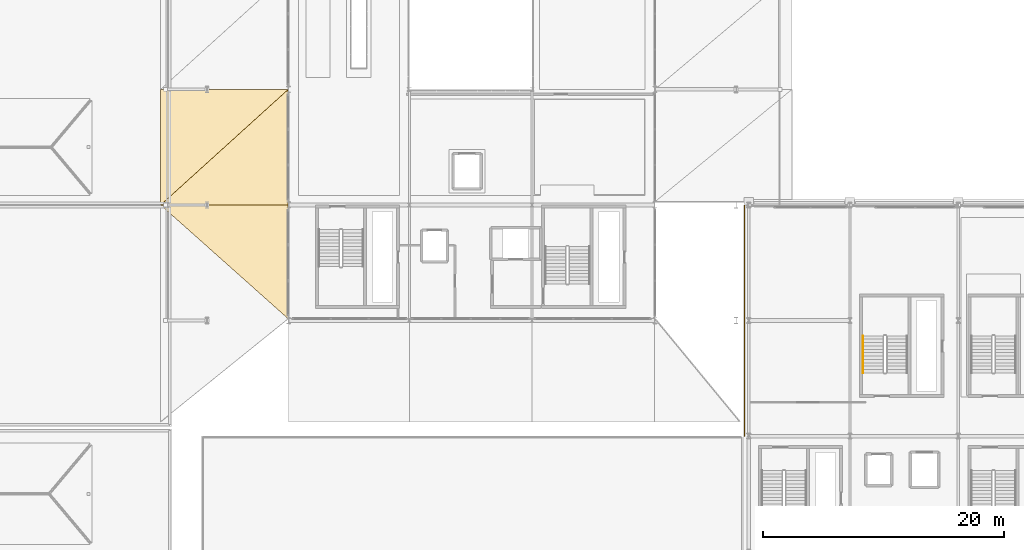
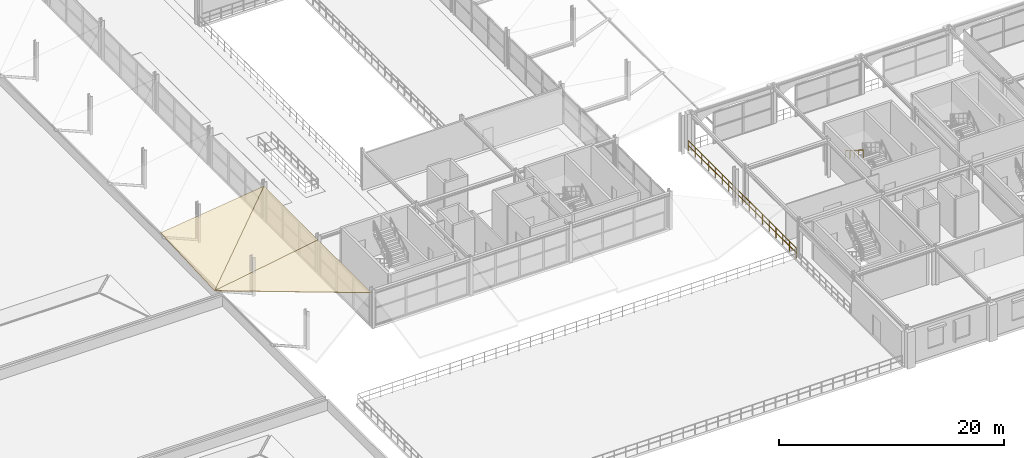
# One storey, part 65 of 81: 3 coverings, 2 railings.
"""IFC4 building model written with IfcOpenShell, lengths in metres."""

from ifc_helpers import new_model, si_unit, direction, frame, origin, origin_2d, place, context, subcontext, project, spatial, polyline, rectangle, outline, extrude, material, layer, layer_set, type_object, element, save


model = new_model("IFC4")

# Units and contexts
model_context = context("Model", 3, precision=1e-05, world=origin(), true_north=direction((0.0, 1.0)))
body_context = subcontext(model_context, "Body", "Model", "MODEL_VIEW")
ifc_project = project(units=[si_unit("LENGTHUNIT", "METRE"), si_unit("AREAUNIT", "SQUARE_METRE"), si_unit("VOLUMEUNIT", "CUBIC_METRE"), si_unit("PLANEANGLEUNIT", "RADIAN"), si_unit("MASSUNIT", "GRAM", prefix="KILO")], contexts=[model_context])

# Site, building, storey
site_placement = place(None, origin())
site = spatial("IfcSite", under=ifc_project, at=site_placement, CompositionType="ELEMENT")
building_placement = place(site_placement, origin())
building = spatial("IfcBuilding", under=site, at=building_placement, Name="Myrtia Square Station", CompositionType="ELEMENT")
storey_placement = place(building_placement, frame((0.0, 0.0, 10.800048828125)))
storey = spatial("IfcBuildingStorey", under=building, at=storey_placement, Name="L02", CompositionType="ELEMENT", Elevation=10.800048828125)

# Coverings
ifc_material_1 = material(Name="Terracotta clay barrel tiles", Category="masonry")
ifc_layer = layer(ifc_material_1, 0.06494140625, Name="Terracotta clay barrel tiles")
ifc_layer_set = layer_set([ifc_layer], Name="Terracotta clay barrel tiles")
covering_type = type_object("IfcCoveringType", Name="COV-TILE-TERRACOTTA", PredefinedType="ROOFING", material=ifc_layer_set)
covering_1_placement = place(storey_placement, frame((68.739013671875, 38.39990234375, 1.81396484375), z_axis=(-0.167417614618, 0.0, 0.985886069643), x_axis=(0.740516662994, -0.660168097897, 0.1257503652)))
element("IfcCovering", 1, at=covering_1_placement, inside=storey, type_object=covering_type, Name="Terracotta clay barrel-tile roofing 064", PredefinedType="ROOFING", context=body_context, shape_type="SweptSolid", body=[
    extrude(outline(polyline([(0.0, 0.0), (14.314462031682945, 9.71445146547012e-16), (8.07590574132667, 7.098027371240397), (0.0, 0.0)])), origin(), (0.0, 0.0, -1.0), 0.06494140625),
])
covering_2_placement = place(storey_placement, frame((68.739013671875, 38.39990234375, 1.81396484375), z_axis=(-0.167417614618, 0.0, 0.985886069643), x_axis=(0.985886069643, 0.0, 0.167417614618)))
element("IfcCovering", 2, at=covering_2_placement, inside=storey, type_object=covering_type, Name="Terracotta clay barrel-tile roofing 065", PredefinedType="ROOFING", context=body_context, shape_type="SweptSolid", body=[
    extrude(outline(polyline([(0.0, 0.0), (10.751848497150197, 0.0), (10.751848497150197, 9.60009765625), (0.0, 0.0)])), origin(), (0.0, 0.0, -1.0), 0.06494140625),
])
covering_3_placement = place(storey_placement, frame((68.74169921875, 38.39697265625, 1.814453125), z_axis=(-0.126187049213, -0.046443799932, 0.990918665713), x_axis=(0.735403189854, 0.666026169594, 0.124865086268)))
element("IfcCovering", 3, at=covering_3_placement, inside=storey, type_object=covering_type, Name="Terracotta clay barrel-tile roofing 066", PredefinedType="ROOFING", context=body_context, shape_type="SweptSolid", body=[
    extrude(outline(polyline([(0.0, 0.0), (14.413994666459416, 1.3877787807814457e-17), (6.450099461613067, 7.1246437105238645), (0.0, 0.0)])), origin(), (0.0, 0.0, -1.0), 0.06494140625),
])

# Railings
ifc_material_2 = material(Name="Dark bronze anodised aluminium", Category="aluminium")
railing_type_1 = type_object("IfcRailingType", Name="RL-HANDRAIL-900", PredefinedType="HANDRAIL", material=ifc_material_2)
railing_1_placement = place(storey_placement, frame((127.10009765625, 27.530029296875, 2.27490234375)))
element("IfcRailing", 4, at=railing_1_placement, inside=storey, type_object=railing_type_1, Name="L02 ST10 stair handrail 2", PredefinedType="HANDRAIL", context=body_context, shape_type="SweptSolid", body=[
    extrude(rectangle(XDim=0.048095703125, YDim=0.048095703125, at=origin_2d()), frame((0.0, -0.029296875, 0.894287109375), z_axis=(0.0, -0.847998304005, 0.529998940003), x_axis=(1.0, 0.0, 0.0)), (0.0, 0.0, 1.0), 0.8388671875),
    extrude(rectangle(XDim=0.048095703125, YDim=0.048095703125, at=origin_2d()), frame((0.0, -0.79931640625, 1.37548828125), z_axis=(0.0, -0.847998304005, 0.529998940003), x_axis=(1.0, 0.0, 0.0)), (0.0, 0.0, 1.0), 0.8388671875),
    extrude(rectangle(XDim=0.048095703125, YDim=0.048095703125, at=origin_2d()), frame((0.0, -1.5693359375, 1.856689453125), z_axis=(0.0, -0.847998304005, 0.529998940003), x_axis=(1.0, 0.0, 0.0)), (0.0, 0.0, 1.0), 0.8388671875),
    extrude(rectangle(XDim=0.048095703125, YDim=0.048095703125, at=origin_2d()), frame((0.0, -2.33935546875, 2.337890625), z_axis=(0.0, -0.847998304005, 0.529998940003), x_axis=(1.0, 0.0, 0.0)), (0.0, 0.0, 1.0), 0.8388671875),
    extrude(rectangle(XDim=0.0439453125, YDim=0.0439453125, at=origin_2d()), origin(), (0.0, 0.0, 1.0), 0.89990234375),
    extrude(rectangle(XDim=0.0439453125, YDim=0.0439453125, at=origin_2d()), frame((0.0, -0.77001953125, 0.481201171875)), (0.0, 0.0, 1.0), 0.89990234375),
    extrude(rectangle(XDim=0.0439453125, YDim=0.0439453125, at=origin_2d()), frame((0.0, -1.5400390625, 0.96240234375)), (0.0, 0.0, 1.0), 0.89990234375),
    extrude(rectangle(XDim=0.0439453125, YDim=0.0439453125, at=origin_2d()), frame((0.0, -2.31005859375, 1.44384765625)), (0.0, 0.0, 1.0), 0.89990234375),
    extrude(rectangle(XDim=0.0439453125, YDim=0.0439453125, at=origin_2d()), frame((0.0, -3.080078125, 1.925048828125)), (0.0, 0.0, 1.0), 0.89990234375),
])
ifc_material_3 = material(Name="Wrought iron", Category="steel")
railing_type_2 = type_object("IfcRailingType", Name="RL-INT-GUARD-1100", PredefinedType="BALUSTRADE", material=ifc_material_3)
railing_2_placement = place(storey_placement, frame((117.22998046875, 38.35009765625, 0.0)))
element("IfcRailing", 5, at=railing_2_placement, inside=storey, type_object=railing_type_2, Name="Perimeter slab edge balustrade L02-048", PredefinedType="BALUSTRADE", context=body_context, shape_type="SweptSolid", body=[
    extrude(rectangle(XDim=0.048095703125, YDim=0.048095703125, at=origin_2d()), frame((0.0, -0.03466796875, 1.09619140625), z_axis=(0.0, -1.0, 0.0), x_axis=(1.0, 0.0, 0.0)), (0.0, 0.0, 1.0), 1.127685546875),
    extrude(rectangle(XDim=0.048095703125, YDim=0.048095703125, at=origin_2d()), frame((0.0, -0.03466796875, 0.58251953125), z_axis=(0.0, -1.0, 0.0), x_axis=(1.0, 0.0, 0.0)), (0.0, 0.0, 1.0), 1.127685546875),
    extrude(rectangle(XDim=0.048095703125, YDim=0.048095703125, at=origin_2d()), frame((0.0, -1.2314453125, 1.09619140625), z_axis=(0.0, -1.0, 0.0), x_axis=(1.0, 0.0, 0.0)), (0.0, 0.0, 1.0), 1.127685546875),
    extrude(rectangle(XDim=0.048095703125, YDim=0.048095703125, at=origin_2d()), frame((0.0, -1.2314453125, 0.58251953125), z_axis=(0.0, -1.0, 0.0), x_axis=(1.0, 0.0, 0.0)), (0.0, 0.0, 1.0), 1.127685546875),
    extrude(rectangle(XDim=0.048095703125, YDim=0.048095703125, at=origin_2d()), frame((0.0, -2.428466796875, 1.09619140625), z_axis=(0.0, -1.0, 0.0), x_axis=(1.0, 0.0, 0.0)), (0.0, 0.0, 1.0), 1.127685546875),
    extrude(rectangle(XDim=0.048095703125, YDim=0.048095703125, at=origin_2d()), frame((0.0, -2.428466796875, 0.58251953125), z_axis=(0.0, -1.0, 0.0), x_axis=(1.0, 0.0, 0.0)), (0.0, 0.0, 1.0), 1.127685546875),
    extrude(rectangle(XDim=0.048095703125, YDim=0.048095703125, at=origin_2d()), frame((0.0, -3.625244140625, 1.09619140625), z_axis=(0.0, -1.0, 0.0), x_axis=(1.0, 0.0, 0.0)), (0.0, 0.0, 1.0), 1.127685546875),
    extrude(rectangle(XDim=0.048095703125, YDim=0.048095703125, at=origin_2d()), frame((0.0, -3.625244140625, 0.58251953125), z_axis=(0.0, -1.0, 0.0), x_axis=(1.0, 0.0, 0.0)), (0.0, 0.0, 1.0), 1.127685546875),
    extrude(rectangle(XDim=0.048095703125, YDim=0.048095703125, at=origin_2d()), frame((0.0, -4.822265625, 1.09619140625), z_axis=(0.0, -1.0, 0.0), x_axis=(1.0, 0.0, 0.0)), (0.0, 0.0, 1.0), 1.127685546875),
    extrude(rectangle(XDim=0.048095703125, YDim=0.048095703125, at=origin_2d()), frame((0.0, -4.822265625, 0.58251953125), z_axis=(0.0, -1.0, 0.0), x_axis=(1.0, 0.0, 0.0)), (0.0, 0.0, 1.0), 1.127685546875),
    extrude(rectangle(XDim=0.048095703125, YDim=0.048095703125, at=origin_2d()), frame((0.0, -6.01904296875, 1.09619140625), z_axis=(0.0, -1.0, 0.0), x_axis=(1.0, 0.0, 0.0)), (0.0, 0.0, 1.0), 1.127685546875),
    extrude(rectangle(XDim=0.048095703125, YDim=0.048095703125, at=origin_2d()), frame((0.0, -6.01904296875, 0.58251953125), z_axis=(0.0, -1.0, 0.0), x_axis=(1.0, 0.0, 0.0)), (0.0, 0.0, 1.0), 1.127685546875),
    extrude(rectangle(XDim=0.048095703125, YDim=0.048095703125, at=origin_2d()), frame((0.0, -7.216064453125, 1.09619140625), z_axis=(0.0, -1.0, 0.0), x_axis=(1.0, 0.0, 0.0)), (0.0, 0.0, 1.0), 1.127685546875),
    extrude(rectangle(XDim=0.048095703125, YDim=0.048095703125, at=origin_2d()), frame((0.0, -7.216064453125, 0.58251953125), z_axis=(0.0, -1.0, 0.0), x_axis=(1.0, 0.0, 0.0)), (0.0, 0.0, 1.0), 1.127685546875),
    extrude(rectangle(XDim=0.048095703125, YDim=0.048095703125, at=origin_2d()), frame((0.0, -8.412841796875, 1.09619140625), z_axis=(0.0, -1.0, 0.0), x_axis=(1.0, 0.0, 0.0)), (0.0, 0.0, 1.0), 1.127685546875),
    extrude(rectangle(XDim=0.048095703125, YDim=0.048095703125, at=origin_2d()), frame((0.0, -8.412841796875, 0.58251953125), z_axis=(0.0, -1.0, 0.0), x_axis=(1.0, 0.0, 0.0)), (0.0, 0.0, 1.0), 1.127685546875),
    extrude(rectangle(XDim=0.048095703125, YDim=0.048095703125, at=origin_2d()), frame((0.0, -9.609619140625, 1.09619140625), z_axis=(0.0, -1.0, 0.0), x_axis=(1.0, 0.0, 0.0)), (0.0, 0.0, 1.0), 1.127685546875),
    extrude(rectangle(XDim=0.048095703125, YDim=0.048095703125, at=origin_2d()), frame((0.0, -9.609619140625, 0.58251953125), z_axis=(0.0, -1.0, 0.0), x_axis=(1.0, 0.0, 0.0)), (0.0, 0.0, 1.0), 1.127685546875),
    extrude(rectangle(XDim=0.048095703125, YDim=0.048095703125, at=origin_2d()), frame((0.0, -10.806640625, 1.09619140625), z_axis=(0.0, -1.0, 0.0), x_axis=(1.0, 0.0, 0.0)), (0.0, 0.0, 1.0), 1.127685546875),
    extrude(rectangle(XDim=0.048095703125, YDim=0.048095703125, at=origin_2d()), frame((0.0, -10.806640625, 0.58251953125), z_axis=(0.0, -1.0, 0.0), x_axis=(1.0, 0.0, 0.0)), (0.0, 0.0, 1.0), 1.127685546875),
    extrude(rectangle(XDim=0.048095703125, YDim=0.048095703125, at=origin_2d()), frame((0.0, -12.00341796875, 1.09619140625), z_axis=(0.0, -1.0, 0.0), x_axis=(1.0, 0.0, 0.0)), (0.0, 0.0, 1.0), 1.127685546875),
    extrude(rectangle(XDim=0.048095703125, YDim=0.048095703125, at=origin_2d()), frame((0.0, -12.00341796875, 0.58251953125), z_axis=(0.0, -1.0, 0.0), x_axis=(1.0, 0.0, 0.0)), (0.0, 0.0, 1.0), 1.127685546875),
    extrude(rectangle(XDim=0.048095703125, YDim=0.048095703125, at=origin_2d()), frame((0.0, -13.200439453125, 1.09619140625), z_axis=(0.0, -1.0, 0.0), x_axis=(1.0, 0.0, 0.0)), (0.0, 0.0, 1.0), 1.127685546875),
    extrude(rectangle(XDim=0.048095703125, YDim=0.048095703125, at=origin_2d()), frame((0.0, -13.200439453125, 0.58251953125), z_axis=(0.0, -1.0, 0.0), x_axis=(1.0, 0.0, 0.0)), (0.0, 0.0, 1.0), 1.127685546875),
    extrude(rectangle(XDim=0.048095703125, YDim=0.048095703125, at=origin_2d()), frame((0.0, -14.397216796875, 1.09619140625), z_axis=(0.0, -1.0, 0.0), x_axis=(1.0, 0.0, 0.0)), (0.0, 0.0, 1.0), 1.127685546875),
    extrude(rectangle(XDim=0.048095703125, YDim=0.048095703125, at=origin_2d()), frame((0.0, -14.397216796875, 0.58251953125), z_axis=(0.0, -1.0, 0.0), x_axis=(1.0, 0.0, 0.0)), (0.0, 0.0, 1.0), 1.127685546875),
    extrude(rectangle(XDim=0.048095703125, YDim=0.048095703125, at=origin_2d()), frame((0.0, -15.59423828125, 1.09619140625), z_axis=(0.0, -1.0, 0.0), x_axis=(1.0, 0.0, 0.0)), (0.0, 0.0, 1.0), 1.127685546875),
    extrude(rectangle(XDim=0.048095703125, YDim=0.048095703125, at=origin_2d()), frame((0.0, -15.59423828125, 0.58251953125), z_axis=(0.0, -1.0, 0.0), x_axis=(1.0, 0.0, 0.0)), (0.0, 0.0, 1.0), 1.127685546875),
    extrude(rectangle(XDim=0.048095703125, YDim=0.048095703125, at=origin_2d()), frame((0.0, -16.791015625, 1.09619140625), z_axis=(0.0, -1.0, 0.0), x_axis=(1.0, 0.0, 0.0)), (0.0, 0.0, 1.0), 1.127685546875),
    extrude(rectangle(XDim=0.048095703125, YDim=0.048095703125, at=origin_2d()), frame((0.0, -16.791015625, 0.58251953125), z_axis=(0.0, -1.0, 0.0), x_axis=(1.0, 0.0, 0.0)), (0.0, 0.0, 1.0), 1.127685546875),
    extrude(rectangle(XDim=0.048095703125, YDim=0.048095703125, at=origin_2d()), frame((0.0, -17.98779296875, 1.09619140625), z_axis=(0.0, -1.0, 0.0), x_axis=(1.0, 0.0, 0.0)), (0.0, 0.0, 1.0), 1.127685546875),
    extrude(rectangle(XDim=0.048095703125, YDim=0.048095703125, at=origin_2d()), frame((0.0, -17.98779296875, 0.58251953125), z_axis=(0.0, -1.0, 0.0), x_axis=(1.0, 0.0, 0.0)), (0.0, 0.0, 1.0), 1.127685546875),
    extrude(rectangle(XDim=0.0439453125, YDim=0.0439453125, at=origin_2d()), origin(), (0.0, 0.0, 1.0), 1.1201171875),
    extrude(rectangle(XDim=0.0439453125, YDim=0.0439453125, at=origin_2d()), frame((0.0, -1.19677734375, 0.0)), (0.0, 0.0, 1.0), 1.1201171875),
    extrude(rectangle(XDim=0.0439453125, YDim=0.0439453125, at=origin_2d()), frame((0.0, -2.393798828125, 0.0)), (0.0, 0.0, 1.0), 1.1201171875),
    extrude(rectangle(XDim=0.0439453125, YDim=0.0439453125, at=origin_2d()), frame((0.0, -3.590576171875, 0.0)), (0.0, 0.0, 1.0), 1.1201171875),
    extrude(rectangle(XDim=0.0439453125, YDim=0.0439453125, at=origin_2d()), frame((0.0, -4.78759765625, 0.0)), (0.0, 0.0, 1.0), 1.1201171875),
    extrude(rectangle(XDim=0.0439453125, YDim=0.0439453125, at=origin_2d()), frame((0.0, -5.984375, 0.0)), (0.0, 0.0, 1.0), 1.1201171875),
    extrude(rectangle(XDim=0.0439453125, YDim=0.0439453125, at=origin_2d()), frame((0.0, -7.181396484375, 0.0)), (0.0, 0.0, 1.0), 1.1201171875),
    extrude(rectangle(XDim=0.0439453125, YDim=0.0439453125, at=origin_2d()), frame((0.0, -8.378173828125, 0.0)), (0.0, 0.0, 1.0), 1.1201171875),
    extrude(rectangle(XDim=0.0439453125, YDim=0.0439453125, at=origin_2d()), frame((0.0, -9.5751953125, 0.0)), (0.0, 0.0, 1.0), 1.1201171875),
    extrude(rectangle(XDim=0.0439453125, YDim=0.0439453125, at=origin_2d()), frame((0.0, -10.77197265625, 0.0)), (0.0, 0.0, 1.0), 1.1201171875),
    extrude(rectangle(XDim=0.0439453125, YDim=0.0439453125, at=origin_2d()), frame((0.0, -11.96875, 0.0)), (0.0, 0.0, 1.0), 1.1201171875),
    extrude(rectangle(XDim=0.0439453125, YDim=0.0439453125, at=origin_2d()), frame((0.0, -13.165771484375, 0.0)), (0.0, 0.0, 1.0), 1.1201171875),
    extrude(rectangle(XDim=0.0439453125, YDim=0.0439453125, at=origin_2d()), frame((0.0, -14.362548828125, 0.0)), (0.0, 0.0, 1.0), 1.1201171875),
    extrude(rectangle(XDim=0.0439453125, YDim=0.0439453125, at=origin_2d()), frame((0.0, -15.5595703125, 0.0)), (0.0, 0.0, 1.0), 1.1201171875),
    extrude(rectangle(XDim=0.0439453125, YDim=0.0439453125, at=origin_2d()), frame((0.0, -16.75634765625, 0.0)), (0.0, 0.0, 1.0), 1.1201171875),
    extrude(rectangle(XDim=0.0439453125, YDim=0.0439453125, at=origin_2d()), frame((0.0, -17.953369140625, 0.0)), (0.0, 0.0, 1.0), 1.1201171875),
    extrude(rectangle(XDim=0.0439453125, YDim=0.0439453125, at=origin_2d()), frame((0.0, -19.150146484375, 0.0)), (0.0, 0.0, 1.0), 1.1201171875),
])

save(model, "model.ifc")
